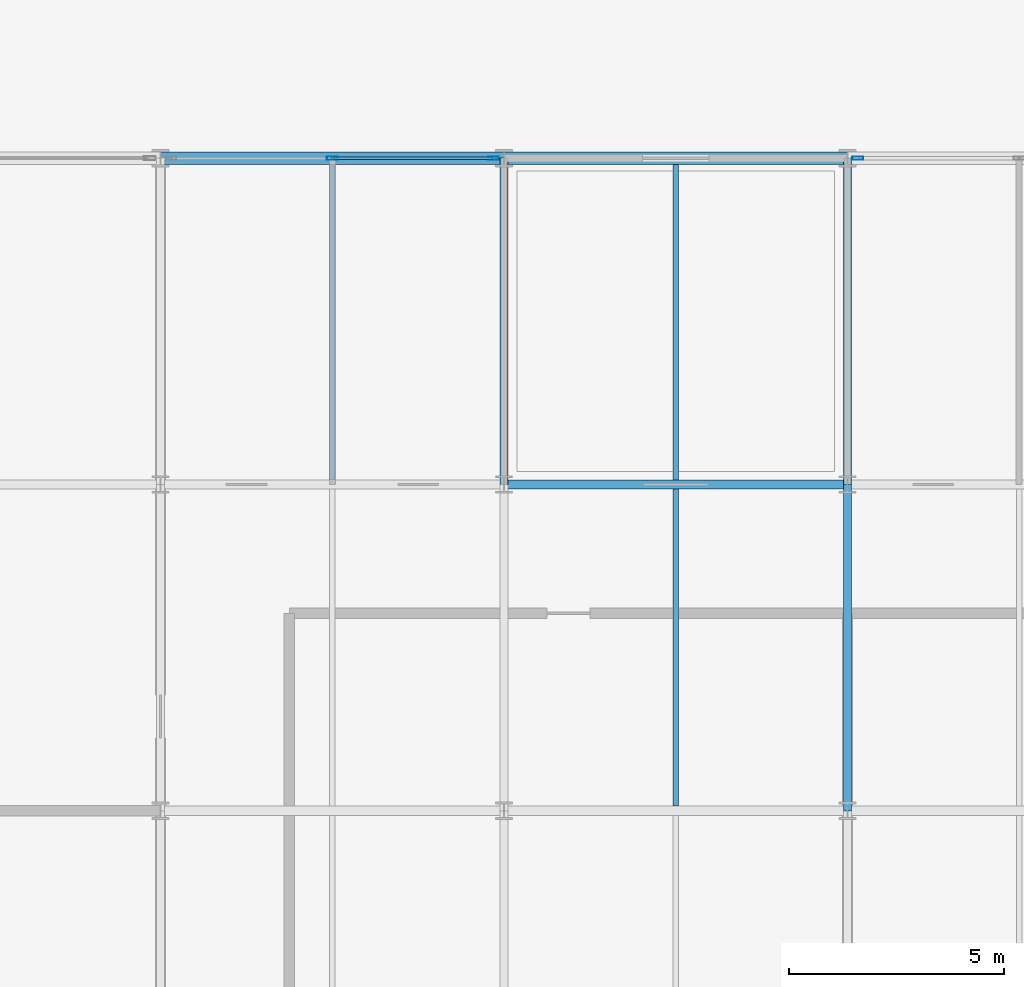
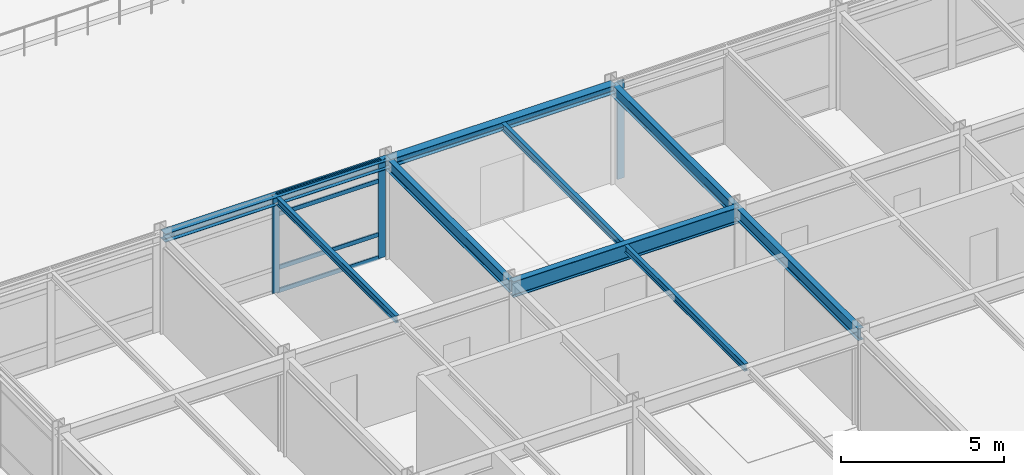
# One storey, part 6 of 46: 9 beams, 7 members, 2 elements without a shape of their own.
"""IFC4 building model written with IfcOpenShell, lengths in metres."""

from ifc_helpers import new_model, si_unit, direction, frame, origin, origin_2d, place, context, subcontext, project, spatial, hollow_rectangle, i_section, extrude, material, layer, layer_set, material_profile, profile_set, type_object, element, aggregate, save


model = new_model("IFC4")

# Units and contexts
model_context = context("Model", 3, precision=1e-05, world=origin(), true_north=direction((0.0, 1.0)))
body_context = subcontext(model_context, "Body", "Model", "MODEL_VIEW")
ifc_project = project(units=[si_unit("LENGTHUNIT", "METRE"), si_unit("AREAUNIT", "SQUARE_METRE"), si_unit("VOLUMEUNIT", "CUBIC_METRE"), si_unit("PLANEANGLEUNIT", "RADIAN"), si_unit("MASSUNIT", "GRAM", prefix="KILO")], contexts=[model_context])

# Site, building, storey
site_placement = place(None, origin())
site = spatial("IfcSite", under=ifc_project, at=site_placement, CompositionType="ELEMENT")
building_placement = place(site_placement, origin())
building = spatial("IfcBuilding", under=site, at=building_placement, Name="Shalkamar Park Central Library", CompositionType="ELEMENT")
storey_placement = place(building_placement, frame((0.0, 0.0, 20.39990234375)))
storey = spatial("IfcBuildingStorey", under=building, at=storey_placement, Name="L05", CompositionType="ELEMENT", Elevation=20.39990234375)

# Beams
ifc_material_1 = material(Name="Steel S355", Category="steel")
ifc_material_profile_1 = material_profile(ifc_material_1, i_section(OverallWidth=0.135009765625, OverallDepth=0.27001953125, WebThickness=0.006591796875, FlangeThickness=0.01025390625, FilletRadius=0.014892578125, at=origin_2d()), Name="IPE 270")
ifc_profile_set_1 = profile_set([ifc_material_profile_1], Name="Steel S355")
beam_type_1 = type_object("IfcBeamType", Name="Composite Floor Joist IPE270", PredefinedType="JOIST", material=ifc_profile_set_1)
beam_1_placement = place(storey_placement, frame((177.0, 285.7080078125, 3.525146484375), z_axis=(0.0, 1.0, 0.0), x_axis=(-1.0, 0.0, 0.0)))
element("IfcBeam", 1, at=beam_1_placement, inside=storey, type_object=beam_type_1, Name="Composite Joist 08/G-1 (L05)", PredefinedType="JOIST", context=body_context, shape_type="SweptSolid", body=[
    extrude(i_section(OverallWidth=0.135009765625, OverallDepth=0.27001953125, WebThickness=0.006591796875, FlangeThickness=0.01025390625, FilletRadius=0.014892578125, at=origin_2d()), origin(), (0.0, 0.0, 1.0), 7.343994140625),
])
beam_2_placement = place(storey_placement, frame((185.0, 278.10791015625, 3.525146484375), z_axis=(0.0, 1.0, 0.0), x_axis=(-1.0, 0.0, 0.0)))
element("IfcBeam", 2, at=beam_2_placement, inside=storey, type_object=beam_type_1, Name="Composite Joist 09/F-1 (L05)", PredefinedType="JOIST", context=body_context, shape_type="SweptSolid", body=[
    extrude(i_section(OverallWidth=0.135009765625, OverallDepth=0.27001953125, WebThickness=0.006591796875, FlangeThickness=0.01025390625, FilletRadius=0.014892578125, at=origin_2d()), origin(), (0.0, 0.0, 1.0), 7.384033203125),
])
beam_3_placement = place(storey_placement, frame((185.0, 285.7080078125, 3.525146484375), z_axis=(0.0, 1.0, 0.0), x_axis=(-1.0, 0.0, 0.0)))
element("IfcBeam", 3, at=beam_3_placement, inside=storey, type_object=beam_type_1, Name="Composite Joist 09/G-1 (L05)", PredefinedType="JOIST", context=body_context, shape_type="SweptSolid", body=[
    extrude(i_section(OverallWidth=0.135009765625, OverallDepth=0.27001953125, WebThickness=0.006591796875, FlangeThickness=0.01025390625, FilletRadius=0.014892578125, at=origin_2d()), origin(), (0.0, 0.0, 1.0), 7.343994140625),
])

# Curtain wall, members
ifc_material_2 = material(Name="Thermally broken aluminium and triple low-e curtain wall", Category="aluminium")
ifc_layer_1 = layer(ifc_material_2, 0.25)
ifc_layer_set_1 = layer_set([ifc_layer_1], Name="UnitisedCurtainWall_68")
curtain_wall_type_1 = type_object("IfcCurtainWallType", Name="Unitised Curtain Wall 68", PredefinedType="USERDEFINED", material=ifc_layer_set_1)
curtain_wall_1_placement = place(storey_placement, origin())
curtain_wall_1 = element("IfcCurtainWall", 4, at=curtain_wall_1_placement, inside=storey, type_object=curtain_wall_type_1, Name="Unitised Curtain Wall CW-L05-083", ObjectType="UNITISED CURTAIN WALL", PredefinedType="USERDEFINED")
ifc_material_3 = material(Name="Aluminium 6060-T66", Category="aluminium")
ifc_material_profile_2 = material_profile(ifc_material_3, hollow_rectangle(XDim=0.074951171875, YDim=0.25, WallThickness=0.00390625, InnerFilletRadius=0.00390625, OuterFilletRadius=0.006103515625, at=origin_2d()), Name="ALU 75x250x4")
ifc_profile_set_2 = profile_set([ifc_material_profile_2], Name="Aluminium 6060-T66")
member_type_1 = type_object("IfcMemberType", Name="Curtain Wall Mullion ALU75x250", PredefinedType="MULLION", material=ifc_profile_set_2)
member_1_placement = place(storey_placement, frame((177.0, 293.199951171875, 0.0), z_axis=(0.0, 0.0, 1.0), x_axis=(0.0, 1.0, 0.0)))
member_1 = element("IfcMember", 5, at=member_1_placement, type_object=member_type_1, Name="CW-68 mullion 2", PredefinedType="MULLION", context=body_context, shape_type="SweptSolid", body=[
    extrude(hollow_rectangle(XDim=0.074951171875, YDim=0.25, WallThickness=0.00390625, InnerFilletRadius=0.00390625, OuterFilletRadius=0.006103515625, at=origin_2d()), origin(), (0.0, 0.0, 1.0), 3.66015625),
])
member_2_placement = place(storey_placement, frame((180.758056640625, 293.199951171875, 0.0), z_axis=(0.0, 0.0, 1.0), x_axis=(0.0, 1.0, 0.0)))
member_2 = element("IfcMember", 6, at=member_2_placement, type_object=member_type_1, Name="CW-68 mullion 3", PredefinedType="MULLION", context=body_context, shape_type="SweptSolid", body=[
    extrude(hollow_rectangle(XDim=0.074951171875, YDim=0.25, WallThickness=0.00390625, InnerFilletRadius=0.00390625, OuterFilletRadius=0.006103515625, at=origin_2d()), origin(), (0.0, 0.0, 1.0), 3.66015625),
])

# Curtain wall, member
ifc_layer_2 = layer(ifc_material_2, 0.2548828125)
ifc_layer_set_2 = layer_set([ifc_layer_2], Name="UnitisedCurtainWall_69")
curtain_wall_type_2 = type_object("IfcCurtainWallType", Name="Unitised Curtain Wall 69", PredefinedType="USERDEFINED", material=ifc_layer_set_2)
curtain_wall_2_placement = place(storey_placement, origin())
curtain_wall_2 = element("IfcCurtainWall", 7, at=curtain_wall_2_placement, inside=storey, type_object=curtain_wall_type_2, Name="Unitised Curtain Wall CW-L05-084", ObjectType="UNITISED CURTAIN WALL", PredefinedType="USERDEFINED")
ifc_material_profile_3 = material_profile(ifc_material_3, hollow_rectangle(XDim=0.080078125, YDim=0.2548828125, WallThickness=0.00439453125, InnerFilletRadius=0.00439453125, OuterFilletRadius=0.0068359375, at=origin_2d()), Name="ALU 80x255x4.5")
ifc_profile_set_3 = profile_set([ifc_material_profile_3], Name="Aluminium 6060-T66")
member_type_2 = type_object("IfcMemberType", Name="Curtain Wall Mullion ALU80x255", PredefinedType="MULLION", material=ifc_profile_set_3)
member_3_placement = place(storey_placement, frame((189.244384765625, 293.199951171875, 0.0), z_axis=(0.0, 0.0, 1.0), x_axis=(0.0, 1.0, 0.0)))
member_3 = element("IfcMember", 8, at=member_3_placement, type_object=member_type_2, Name="CW-69 mullion 1", PredefinedType="MULLION", context=body_context, shape_type="SweptSolid", body=[
    extrude(hollow_rectangle(XDim=0.080078125, YDim=0.2548828125, WallThickness=0.00439453125, InnerFilletRadius=0.00439453125, OuterFilletRadius=0.0068359375, at=origin_2d()), origin(), (0.0, 0.0, 1.0), 3.66015625),
])
aggregate(curtain_wall_2, [member_3])

# Member
ifc_material_profile_4 = material_profile(ifc_material_3, hollow_rectangle(XDim=0.06005859375, YDim=0.159912109375, WallThickness=0.00390625, InnerFilletRadius=0.00390625, OuterFilletRadius=0.006103515625, at=origin_2d()), Name="ALU 60x160x4")
ifc_profile_set_4 = profile_set([ifc_material_profile_4], Name="Aluminium 6060-T66")
member_type_3 = type_object("IfcMemberType", Name="Curtain Wall Transom ALU60x160", PredefinedType="USERDEFINED", material=ifc_profile_set_4)
member_4_placement = place(storey_placement, frame((177.03759765625, 293.199951171875, 0.030029296875), z_axis=(1.0, 0.0, 0.0), x_axis=(0.0, 1.0, 0.0)))
member_4 = element("IfcMember", 9, at=member_4_placement, type_object=member_type_3, Name="CW-68 transom 2.1", ObjectType="TRANSOM", PredefinedType="USERDEFINED", context=body_context, shape_type="SweptSolid", body=[
    extrude(hollow_rectangle(XDim=0.06005859375, YDim=0.159912109375, WallThickness=0.00390625, InnerFilletRadius=0.00390625, OuterFilletRadius=0.006103515625, at=origin_2d()), origin(), (0.0, 0.0, 1.0), 3.682861328125),
])

member_5_placement = place(storey_placement, frame((177.03759765625, 293.199951171875, 0.900146484375), z_axis=(1.0, 0.0, 0.0), x_axis=(0.0, 1.0, 0.0)))
member_5 = element("IfcMember", 10, at=member_5_placement, type_object=member_type_3, Name="CW-68 transom 2.2", ObjectType="TRANSOM", PredefinedType="USERDEFINED", context=body_context, shape_type="SweptSolid", body=[
    extrude(hollow_rectangle(XDim=0.06005859375, YDim=0.159912109375, WallThickness=0.00390625, InnerFilletRadius=0.00390625, OuterFilletRadius=0.006103515625, at=origin_2d()), origin(), (0.0, 0.0, 1.0), 3.682861328125),
])

member_6_placement = place(storey_placement, frame((177.03759765625, 293.199951171875, 2.91015625), z_axis=(1.0, 0.0, 0.0), x_axis=(0.0, 1.0, 0.0)))
member_6 = element("IfcMember", 11, at=member_6_placement, type_object=member_type_3, Name="CW-68 transom 2.3", ObjectType="TRANSOM", PredefinedType="USERDEFINED", context=body_context, shape_type="SweptSolid", body=[
    extrude(hollow_rectangle(XDim=0.06005859375, YDim=0.159912109375, WallThickness=0.00390625, InnerFilletRadius=0.00390625, OuterFilletRadius=0.006103515625, at=origin_2d()), origin(), (0.0, 0.0, 1.0), 3.682861328125),
])

member_7_placement = place(storey_placement, frame((177.03759765625, 293.199951171875, 3.630126953125), z_axis=(1.0, 0.0, 0.0), x_axis=(0.0, 1.0, 0.0)))
member_7 = element("IfcMember", 12, at=member_7_placement, type_object=member_type_3, Name="CW-68 transom 2.4", ObjectType="TRANSOM", PredefinedType="USERDEFINED", context=body_context, shape_type="SweptSolid", body=[
    extrude(hollow_rectangle(XDim=0.06005859375, YDim=0.159912109375, WallThickness=0.00390625, InnerFilletRadius=0.00390625, OuterFilletRadius=0.006103515625, at=origin_2d()), origin(), (0.0, 0.0, 1.0), 3.682861328125),
])

aggregate(curtain_wall_1, [member_1, member_2, member_4, member_5, member_6, member_7])

# Beams
ifc_material_profile_5 = material_profile(ifc_material_1, i_section(OverallWidth=0.300048828125, OverallDepth=0.31005859375, WebThickness=0.009033203125, FlangeThickness=0.015380859375, FilletRadius=0.027099609375, at=origin_2d()), Name="HEA 320")
ifc_profile_set_5 = profile_set([ifc_material_profile_5], Name="Steel S355")
beam_type_2 = type_object("IfcBeamType", Name="Perimeter Spandrel Beam HEA320", PredefinedType="SPANDREL", material=ifc_profile_set_5)
for number, where, z_axis, x_axis, name in (
    (13, (173.0, 293.199951171875, 3.505126953125), (1.0, 0.0, 0.0), (0.0, 1.0, 0.0), "Beam H:08-09 (L05)"),
    (14, (181.0, 293.199951171875, 3.505126953125), (1.0, 0.0, 0.0), (0.0, 1.0, 0.0), "Beam H:09-10 (L05)"),
):
    element("IfcBeam", number, at=place(storey_placement, frame(where, z_axis=z_axis, x_axis=x_axis)), inside=storey, type_object=beam_type_2, Name=name, PredefinedType="SPANDREL", context=body_context, shape_type="SweptSolid", body=[
        extrude(i_section(OverallWidth=0.300048828125, OverallDepth=0.31005859375, WebThickness=0.009033203125, FlangeThickness=0.015380859375, FilletRadius=0.027099609375, at=origin_2d()), origin(), (0.0, 0.0, 1.0), 8.0),
    ])
ifc_material_profile_6 = material_profile(ifc_material_1, i_section(OverallWidth=0.18994140625, OverallDepth=0.449951171875, WebThickness=0.009521484375, FlangeThickness=0.0146484375, FilletRadius=0.02099609375, at=origin_2d()), Name="IPE 450")
ifc_profile_set_6 = profile_set([ifc_material_profile_6], Name="Steel S355")
beam_type_3 = type_object("IfcBeamType", Name="Primary Girder IPE450", PredefinedType="BEAM", material=ifc_profile_set_6)
beam_4_placement = place(storey_placement, frame((181.0, 285.60009765625, 3.43505859375), z_axis=(0.0, 1.0, 0.0), x_axis=(-1.0, 0.0, 0.0)))
element("IfcBeam", 15, at=beam_4_placement, inside=storey, type_object=beam_type_3, Name="Beam 09:G-H (L05)", PredefinedType="BEAM", context=body_context, shape_type="SweptSolid", body=[
    extrude(i_section(OverallWidth=0.18994140625, OverallDepth=0.449951171875, WebThickness=0.009521484375, FlangeThickness=0.0146484375, FilletRadius=0.02099609375, at=origin_2d()), origin(), (0.0, 0.0, 1.0), 7.599853515625),
])
beam_5_placement = place(storey_placement, frame((189.0, 278.0, 3.43505859375), z_axis=(0.0, 1.0, 0.0), x_axis=(-1.0, 0.0, 0.0)))
element("IfcBeam", 16, at=beam_5_placement, inside=storey, type_object=beam_type_3, Name="Beam 10:F-G (L05)", PredefinedType="BEAM", context=body_context, shape_type="SweptSolid", body=[
    extrude(i_section(OverallWidth=0.18994140625, OverallDepth=0.449951171875, WebThickness=0.009521484375, FlangeThickness=0.0146484375, FilletRadius=0.02099609375, at=origin_2d()), origin(), (0.0, 0.0, 1.0), 7.60009765625),
])
beam_6_placement = place(storey_placement, frame((189.0, 285.60009765625, 3.43505859375), z_axis=(0.0, 1.0, 0.0), x_axis=(-1.0, 0.0, 0.0)))
element("IfcBeam", 17, at=beam_6_placement, inside=storey, type_object=beam_type_3, Name="Beam 10:G-H (L05)", PredefinedType="BEAM", context=body_context, shape_type="SweptSolid", body=[
    extrude(i_section(OverallWidth=0.18994140625, OverallDepth=0.449951171875, WebThickness=0.009521484375, FlangeThickness=0.0146484375, FilletRadius=0.02099609375, at=origin_2d()), origin(), (0.0, 0.0, 1.0), 7.599853515625),
])
ifc_material_profile_7 = material_profile(ifc_material_1, i_section(OverallWidth=0.219970703125, OverallDepth=0.60009765625, WebThickness=0.011962890625, FlangeThickness=0.01904296875, FilletRadius=0.02392578125, at=origin_2d()), Name="IPE 600")
ifc_profile_set_7 = profile_set([ifc_material_profile_7], Name="Steel S355")
beam_type_4 = type_object("IfcBeamType", Name="Primary Girder IPE600", PredefinedType="BEAM", material=ifc_profile_set_7)
beam_7_placement = place(storey_placement, frame((181.0, 285.60009765625, 3.360107421875), z_axis=(1.0, 0.0, 0.0), x_axis=(0.0, 1.0, 0.0)))
element("IfcBeam", 18, at=beam_7_placement, inside=storey, type_object=beam_type_4, Name="Beam G:09-10 (L05)", PredefinedType="BEAM", context=body_context, shape_type="SweptSolid", body=[
    extrude(i_section(OverallWidth=0.219970703125, OverallDepth=0.60009765625, WebThickness=0.011962890625, FlangeThickness=0.01904296875, FilletRadius=0.02392578125, at=origin_2d()), origin(), (0.0, 0.0, 1.0), 8.0),
])

save(model, "model.ifc")
